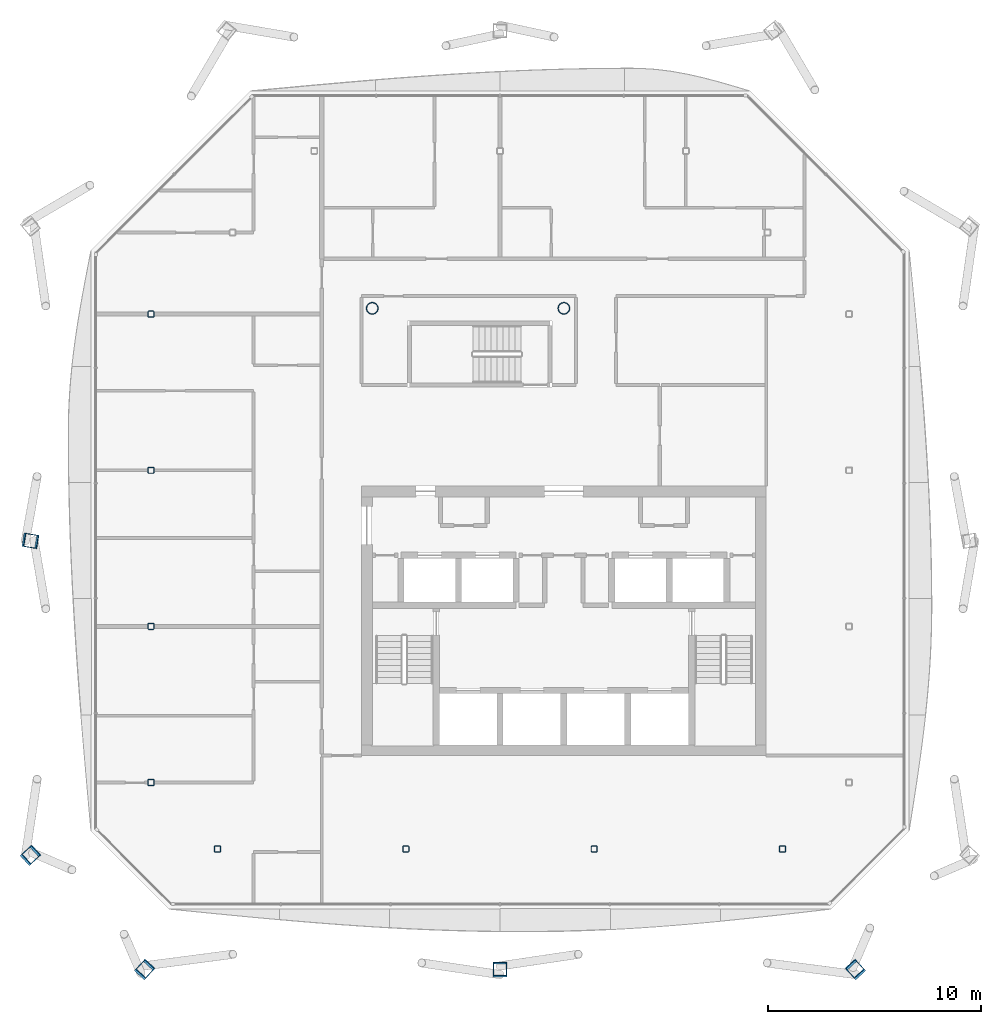
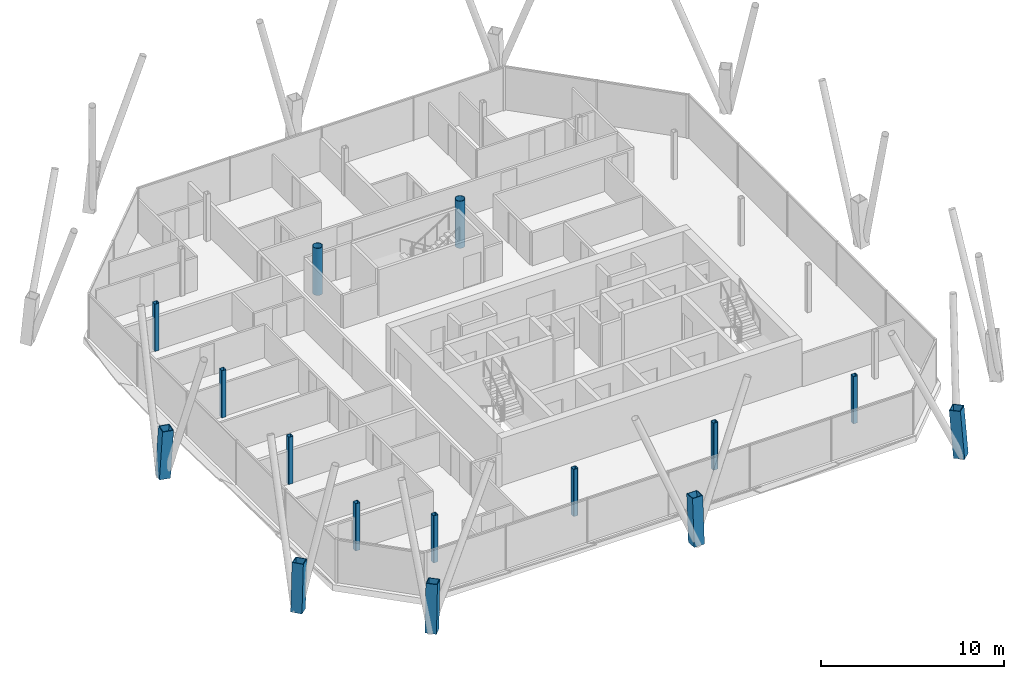
# One storey, part 1 of 18: 15 columns.
"""IFC4 building model written with IfcOpenShell, lengths in metres."""

from ifc_helpers import new_model, si_unit, direction, frame, origin, origin_2d, place, context, subcontext, project, spatial, hollow_rectangle, hollow_circle, extrude, material, material_profile, profile_set, type_object, element, save


model = new_model("IFC4")

# Units and contexts
model_context = context("Model", 3, precision=1e-05, world=origin(), true_north=direction((0.0, 1.0)))
body_context = subcontext(model_context, "Body", "Model", "MODEL_VIEW")
ifc_project = project(units=[si_unit("LENGTHUNIT", "METRE"), si_unit("AREAUNIT", "SQUARE_METRE"), si_unit("VOLUMEUNIT", "CUBIC_METRE"), si_unit("PLANEANGLEUNIT", "RADIAN"), si_unit("MASSUNIT", "GRAM", prefix="KILO")], contexts=[model_context])

# Site, building, storey
site_placement = place(None, origin())
site = spatial("IfcSite", under=ifc_project, at=site_placement, CompositionType="ELEMENT")
building_placement = place(site_placement, origin())
building = spatial("IfcBuilding", under=site, at=building_placement, Name="Tskaro Facet Tower", CompositionType="ELEMENT")
storey_placement = place(building_placement, frame((0.0, 0.0, 217.199951171875)))
storey = spatial("IfcBuildingStorey", under=building, at=storey_placement, Name="L55", CompositionType="ELEMENT", Elevation=217.199951171875)

# Columns
ifc_material_1 = material(Name="Steel S355J2", Category="steel")
ifc_material_profile_1 = material_profile(ifc_material_1, hollow_rectangle(XDim=0.64990234375, YDim=0.64990234375, WallThickness=0.0400390625, at=origin_2d()), Name="BOX 650x650x40")
ifc_profile_set_1 = profile_set([ifc_material_profile_1], Name="Steel S355J2")
column_type_1 = type_object("IfcColumnType", Name="BOX 650x650x40 mega column", PredefinedType="COLUMN", material=ifc_profile_set_1)
column_1_placement = place(storey_placement, frame((-19.719970703125, -22.0849609375, 0.0), z_axis=(0.052847884817, 0.057869979134, 0.996924353492), x_axis=(-0.738421459448, 0.674339490337, 0.0)))
element("IfcColumn", 1, at=column_1_placement, inside=storey, type_object=column_type_1, Name="BOX 650x650x40 MC01/5", PredefinedType="COLUMN", context=body_context, shape_type="SweptSolid", body=[
    extrude(hollow_rectangle(XDim=0.64990234375, YDim=0.64990234375, WallThickness=0.0400390625, at=origin_2d()), origin(), (0.0, 0.0, 1.0), 3.159912109375),
])
column_2_placement = place(storey_placement, frame((-3.0, -22.0849609375, 0.0), z_axis=(0.0, 0.057950961306, 0.998319430886), x_axis=(-1.0, 0.0, 0.0)))
element("IfcColumn", 2, at=column_2_placement, inside=storey, type_object=column_type_1, Name="BOX 650x650x40 MC02/5", PredefinedType="COLUMN", context=body_context, shape_type="SweptSolid", body=[
    extrude(hollow_rectangle(XDim=0.64990234375, YDim=0.64990234375, WallThickness=0.0400390625, at=origin_2d()), origin(), (0.0, 0.0, 1.0), 3.155517578125),
])
column_3_placement = place(storey_placement, frame((13.719970703125, -22.0849609375, 0.0), z_axis=(-0.052847884817, 0.057869979134, 0.996924353492), x_axis=(-0.738421459448, -0.674339490337, 0.0)))
element("IfcColumn", 3, at=column_3_placement, inside=storey, type_object=column_type_1, Name="BOX 650x650x40 MC03/5", PredefinedType="COLUMN", context=body_context, shape_type="SweptSolid", body=[
    extrude(hollow_rectangle(XDim=0.64990234375, YDim=0.64990234375, WallThickness=0.0400390625, at=origin_2d()), origin(), (0.0, 0.0, 1.0), 3.159912109375),
])
column_4_placement = place(storey_placement, frame((-25.0849609375, -1.9130859375, 0.0), z_axis=(0.057948337275, -0.009516215601, 0.998274226777), x_axis=(0.162048444398, 0.986782803695, 0.0)))
element("IfcColumn", 4, at=column_4_placement, inside=storey, type_object=column_type_1, Name="BOX 650x650x40 MC11/5", PredefinedType="COLUMN", context=body_context, shape_type="SweptSolid", body=[
    extrude(hollow_rectangle(XDim=0.64990234375, YDim=0.64990234375, WallThickness=0.0400390625, at=origin_2d()), origin(), (0.0, 0.0, 1.0), 3.155517578125),
])
column_5_placement = place(storey_placement, frame((-25.0849609375, -16.719970703125, 0.0), z_axis=(0.057869979134, 0.052847884817, 0.996924353492), x_axis=(-0.674339490337, 0.738421459448, 0.0)))
element("IfcColumn", 5, at=column_5_placement, inside=storey, type_object=column_type_1, Name="BOX 650x650x40 MC12/5", PredefinedType="COLUMN", context=body_context, shape_type="SweptSolid", body=[
    extrude(hollow_rectangle(XDim=0.64990234375, YDim=0.64990234375, WallThickness=0.0400390625, at=origin_2d()), origin(), (0.0, 0.0, 1.0), 3.159912109375),
])
ifc_material_2 = material(Name="Steel S355J2H", Category="steel")
ifc_material_profile_2 = material_profile(ifc_material_2, hollow_circle(Radius=0.279541015625, WallThickness=0.02490234375, at=origin_2d()), Name="CHS 559x25")
ifc_profile_set_2 = profile_set([ifc_material_profile_2], Name="Steel S355J2H")
column_type_2 = type_object("IfcColumnType", Name="CHS 559x25 interior column", PredefinedType="COLUMN", material=ifc_profile_set_2)
for number, where, z_axis, x_axis, name in (
    (6, (-9.0, 9.0, 0.0), (0.0, 0.0, 1.0), (1.0, 0.0, 0.0), "CHS 559x25 C3E/5"),
    (7, (0.0, 9.0, 0.0), (0.0, 0.0, 1.0), (1.0, 0.0, 0.0), "CHS 559x25 C4E/5"),
):
    element("IfcColumn", number, at=place(storey_placement, frame(where, z_axis=z_axis, x_axis=x_axis)), inside=storey, type_object=column_type_2, Name=name, PredefinedType="COLUMN", context=body_context, shape_type="SweptSolid", body=[
        extrude(hollow_circle(Radius=0.279541015625, WallThickness=0.02490234375, at=origin_2d()), origin(), (0.0, 0.0, 1.0), 3.150146484375),
    ])
ifc_material_profile_3 = material_profile(ifc_material_2, hollow_rectangle(XDim=0.300048828125, YDim=0.300048828125, WallThickness=0.02001953125, InnerFilletRadius=0.030029296875, OuterFilletRadius=0.050048828125, at=origin_2d()), Name="SHS 300x300x20")
ifc_profile_set_3 = profile_set([ifc_material_profile_3], Name="Steel S355J2H")
column_type_3 = type_object("IfcColumnType", Name="SHS 300x300x20 ring column", PredefinedType="COLUMN", material=ifc_profile_set_3)
for number, where, z_axis, x_axis, name in (
    (8, (-16.26806640625, -16.39111328125, 0.0), (0.0, 0.0, 1.0), (1.0, 0.0, 0.0), "SHS 300x300x20 RS-1/5"),
    (9, (-7.423095703125, -16.39111328125, 0.0), (0.0, 0.0, 1.0), (1.0, 0.0, 0.0), "SHS 300x300x20 RS-2/5"),
    (10, (1.423095703125, -16.39111328125, 0.0), (0.0, 0.0, 1.0), (1.0, 0.0, 0.0), "SHS 300x300x20 RS-3/5"),
    (11, (10.26806640625, -16.39111328125, 0.0), (0.0, 0.0, 1.0), (1.0, 0.0, 0.0), "SHS 300x300x20 RSE-1/5"),
    (12, (-19.39111328125, 8.72509765625, 0.0), (0.0, 0.0, 1.0), (1.0, 0.0, 0.0), "SHS 300x300x20 RW-1/5"),
    (13, (-19.39111328125, 1.39404296875, 0.0), (0.0, 0.0, 1.0), (1.0, 0.0, 0.0), "SHS 300x300x20 RW-2/5"),
    (14, (-19.39111328125, -5.93701171875, 0.0), (0.0, 0.0, 1.0), (1.0, 0.0, 0.0), "SHS 300x300x20 RW-3/5"),
    (15, (-19.39111328125, -13.26806640625, 0.0), (0.0, 0.0, 1.0), (1.0, 0.0, 0.0), "SHS 300x300x20 RSW-1/5"),
):
    element("IfcColumn", number, at=place(storey_placement, frame(where, z_axis=z_axis, x_axis=x_axis)), inside=storey, type_object=column_type_3, Name=name, PredefinedType="COLUMN", context=body_context, shape_type="SweptSolid", body=[
        extrude(hollow_rectangle(XDim=0.300048828125, YDim=0.300048828125, WallThickness=0.02001953125, InnerFilletRadius=0.030029296875, OuterFilletRadius=0.050048828125, at=origin_2d()), origin(), (0.0, 0.0, 1.0), 3.150146484375),
    ])

save(model, "model.ifc")
